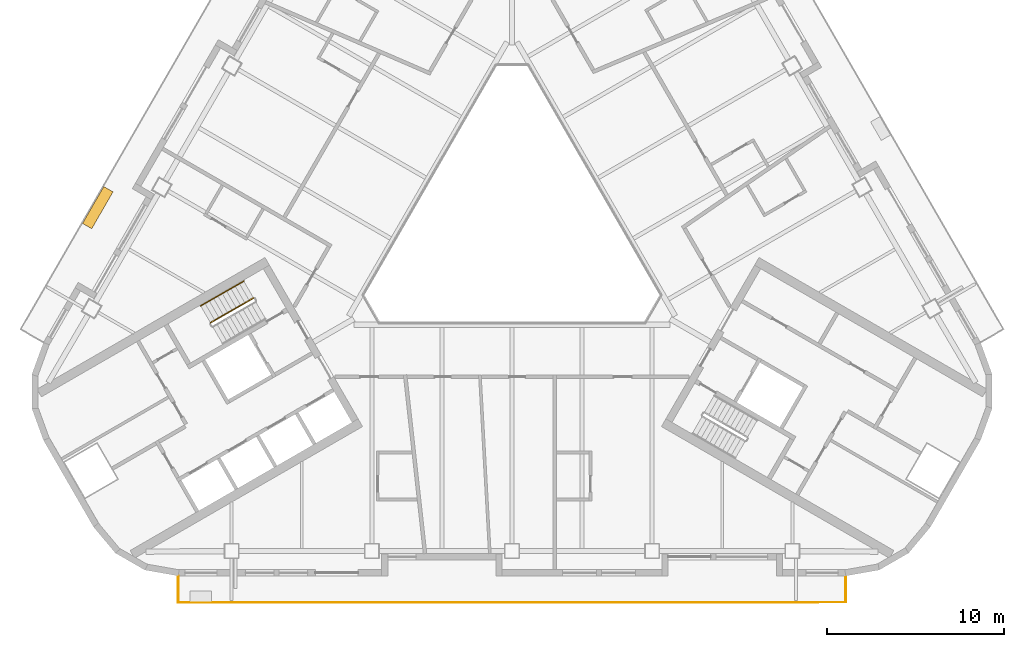
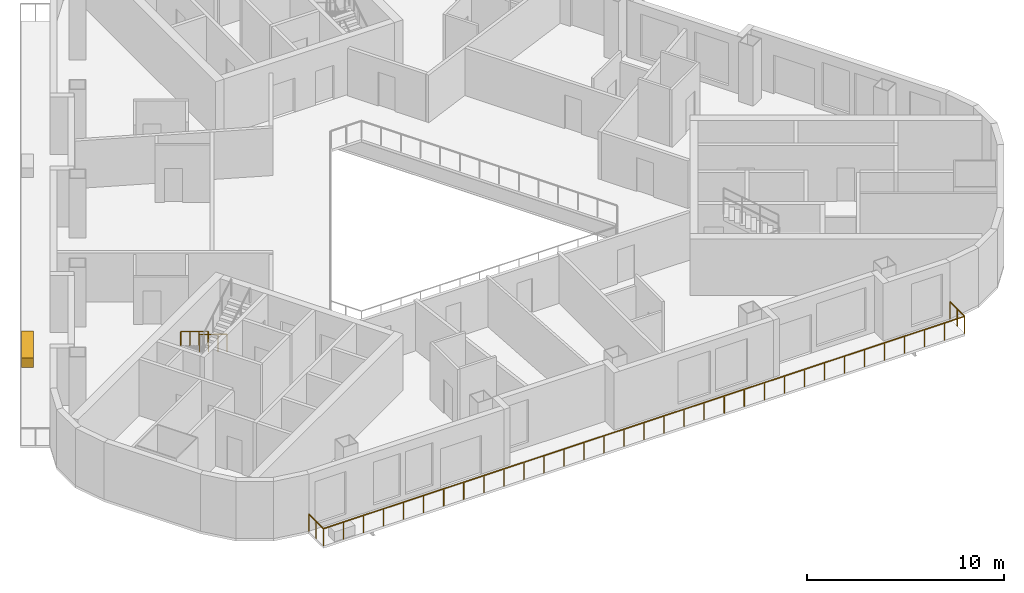
# One storey, part 9 of 13: 3 railings, 1 covering.
"""IFC4 building model written with IfcOpenShell, lengths in metres."""

from ifc_helpers import new_model, si_unit, direction, frame, origin, origin_2d, place, context, subcontext, project, spatial, rectangle, circle, extrude, material, type_object, element, save


model = new_model("IFC4")

# Units and contexts
model_context = context("Model", 3, precision=1e-05, world=origin(), true_north=direction((0.0, 1.0)))
body_context = subcontext(model_context, "Body", "Model", "MODEL_VIEW")
ifc_project = project(units=[si_unit("LENGTHUNIT", "METRE"), si_unit("AREAUNIT", "SQUARE_METRE"), si_unit("VOLUMEUNIT", "CUBIC_METRE"), si_unit("PLANEANGLEUNIT", "RADIAN"), si_unit("MASSUNIT", "GRAM", prefix="KILO")], contexts=[model_context])

# Site, building, storey
site_placement = place(None, origin())
site = spatial("IfcSite", under=ifc_project, at=site_placement, CompositionType="ELEMENT")
building_placement = place(site_placement, origin())
building = spatial("IfcBuilding", under=site, at=building_placement, Name="Apuvela Tower Hotel", CompositionType="ELEMENT")
storey_placement = place(building_placement, frame((0.0, 0.0, 165.10009765625)))
storey = spatial("IfcBuildingStorey", under=building, at=storey_placement, Name="L39", CompositionType="ELEMENT", Elevation=165.10009765625)

# Railings
ifc_material_1 = material(Name="Steel S275 balustrade", Category="steel")
railing_type_1 = type_object("IfcRailingType", Name="COR-GUARD-1100", PredefinedType="GUARDRAIL", material=ifc_material_1)
railing_1_placement = place(storey_placement, frame((-14.569091796875, -3.9658203125, 0.16796875)))
element("IfcRailing", 1, at=railing_1_placement, inside=storey, type_object=railing_type_1, Name="L39 ST2 stair guard 1", PredefinedType="GUARDRAIL", context=body_context, shape_type="SweptSolid", body=[
    extrude(rectangle(XDim=0.048095703125, YDim=0.048095703125, at=origin_2d()), frame((0.0, 0.0, 1.076171875), z_axis=(-0.742390482028, -0.42860119049, 0.514934356695), x_axis=(0.49998411664, -0.866034573852, 0.0)), (0.0, 0.0, 1.0), 3.26611328125),
    extrude(rectangle(XDim=0.0419921875, YDim=0.0419921875, at=origin_2d()), origin(), (0.0, 0.0, 1.0), 1.052001953125),
    extrude(rectangle(XDim=0.0419921875, YDim=0.0419921875, at=origin_2d()), frame((-0.808349609375, -0.466552734375, 0.560546875)), (0.0, 0.0, 1.0), 1.052001953125),
    extrude(rectangle(XDim=0.0419921875, YDim=0.0419921875, at=origin_2d()), frame((-1.616455078125, -0.933349609375, 1.121337890625)), (0.0, 0.0, 1.0), 1.052001953125),
    extrude(rectangle(XDim=0.0419921875, YDim=0.0419921875, at=origin_2d()), frame((-2.4248046875, -1.39990234375, 1.681884765625)), (0.0, 0.0, 1.0), 1.052001953125),
])
ifc_material_2 = material(Name="Stainless steel 316 handrail", Category="steel")
railing_type_2 = type_object("IfcRailingType", Name="COR-HANDRAIL-900", PredefinedType="HANDRAIL", material=ifc_material_2)
railing_2_placement = place(storey_placement, frame((-15.118896484375, -3.01318359375, 0.16796875)))
element("IfcRailing", 2, at=railing_2_placement, inside=storey, type_object=railing_type_2, Name="L39 ST2 stair handrail 1", PredefinedType="HANDRAIL", context=body_context, shape_type="SweptSolid", body=[
    extrude(circle(Radius=0.02392578125, at=origin_2d()), frame((0.0, 0.0, 0.8759765625), z_axis=(-0.742424030051, -0.428577407461, 0.514905783049), x_axis=(0.49994636267, -0.866056369097, 0.0)), (0.0, 0.0, 1.0), 3.266357421875),
    extrude(rectangle(XDim=0.0419921875, YDim=0.0419921875, at=origin_2d()), origin(), (0.0, 0.0, 1.0), 0.851806640625),
    extrude(rectangle(XDim=0.0419921875, YDim=0.0419921875, at=origin_2d()), frame((-0.808349609375, -0.466552734375, 0.560546875)), (0.0, 0.0, 1.0), 0.851806640625),
    extrude(rectangle(XDim=0.0419921875, YDim=0.0419921875, at=origin_2d()), frame((-1.61669921875, -0.933349609375, 1.121337890625)), (0.0, 0.0, 1.0), 0.851806640625),
    extrude(rectangle(XDim=0.0419921875, YDim=0.0419921875, at=origin_2d()), frame((-2.425048828125, -1.39990234375, 1.681884765625)), (0.0, 0.0, 1.0), 0.851806640625),
])
ifc_material_3 = material(Name="Stainless steel 316 rail with laminated glass infill", Category="steel")
railing_type_3 = type_object("IfcRailingType", Name="ENV-GUARD-1100", PredefinedType="GUARDRAIL", material=ifc_material_3)
railing_3_placement = place(storey_placement, frame((-18.81591796875, -19.6298828125, 0.0)))
element("IfcRailing", 3, at=railing_3_placement, inside=storey, type_object=railing_type_3, Name="Balcony guard S L39", PredefinedType="GUARDRAIL", context=body_context, shape_type="SweptSolid", body=[
    extrude(rectangle(XDim=0.050048828125, YDim=0.050048828125, at=origin_2d()), frame((0.0, 0.0, 1.0751953125), z_axis=(0.0, -1.0, 0.0), x_axis=(1.0, 0.0, 0.0)), (0.0, 0.0, 1.0), 1.5),
    extrude(rectangle(XDim=0.050048828125, YDim=0.050048828125, at=origin_2d()), frame((0.0, -1.5, 1.0751953125), z_axis=(1.0, 0.0, 0.0), x_axis=(0.0, 1.0, 0.0)), (0.0, 0.0, 1.0), 37.6318359375),
    extrude(rectangle(XDim=0.050048828125, YDim=0.050048828125, at=origin_2d()), frame((37.6318359375, -1.5, 1.0751953125), z_axis=(0.0, 1.0, 0.0), x_axis=(-1.0, 0.0, 0.0)), (0.0, 0.0, 1.0), 1.5),
    extrude(rectangle(XDim=0.0400390625, YDim=0.0400390625, at=origin_2d()), origin(), (0.0, 0.0, 1.0), 1.050048828125),
    extrude(rectangle(XDim=0.0400390625, YDim=0.0400390625, at=origin_2d()), frame((0.0, -0.75, 0.0)), (0.0, 0.0, 1.0), 1.050048828125),
    extrude(rectangle(XDim=0.0400390625, YDim=0.0400390625, at=origin_2d()), frame((0.0, -1.5, 0.0)), (0.0, 0.0, 1.0), 1.050048828125),
    extrude(rectangle(XDim=0.0400390625, YDim=0.0400390625, at=origin_2d()), frame((1.176025390625, -1.5, 0.0)), (0.0, 0.0, 1.0), 1.050048828125),
    extrude(rectangle(XDim=0.0400390625, YDim=0.0400390625, at=origin_2d()), frame((2.35205078125, -1.5, 0.0)), (0.0, 0.0, 1.0), 1.050048828125),
    extrude(rectangle(XDim=0.0400390625, YDim=0.0400390625, at=origin_2d()), frame((3.528076171875, -1.5, 0.0)), (0.0, 0.0, 1.0), 1.050048828125),
    extrude(rectangle(XDim=0.0400390625, YDim=0.0400390625, at=origin_2d()), frame((4.7041015625, -1.5, 0.0)), (0.0, 0.0, 1.0), 1.050048828125),
    extrude(rectangle(XDim=0.0400390625, YDim=0.0400390625, at=origin_2d()), frame((5.8798828125, -1.5, 0.0)), (0.0, 0.0, 1.0), 1.050048828125),
    extrude(rectangle(XDim=0.0400390625, YDim=0.0400390625, at=origin_2d()), frame((7.055908203125, -1.5, 0.0)), (0.0, 0.0, 1.0), 1.050048828125),
    extrude(rectangle(XDim=0.0400390625, YDim=0.0400390625, at=origin_2d()), frame((8.23193359375, -1.5, 0.0)), (0.0, 0.0, 1.0), 1.050048828125),
    extrude(rectangle(XDim=0.0400390625, YDim=0.0400390625, at=origin_2d()), frame((9.407958984375, -1.5, 0.0)), (0.0, 0.0, 1.0), 1.050048828125),
    extrude(rectangle(XDim=0.0400390625, YDim=0.0400390625, at=origin_2d()), frame((10.583984375, -1.5, 0.0)), (0.0, 0.0, 1.0), 1.050048828125),
    extrude(rectangle(XDim=0.0400390625, YDim=0.0400390625, at=origin_2d()), frame((11.760009765625, -1.5, 0.0)), (0.0, 0.0, 1.0), 1.050048828125),
    extrude(rectangle(XDim=0.0400390625, YDim=0.0400390625, at=origin_2d()), frame((12.93603515625, -1.5, 0.0)), (0.0, 0.0, 1.0), 1.050048828125),
    extrude(rectangle(XDim=0.0400390625, YDim=0.0400390625, at=origin_2d()), frame((14.11181640625, -1.5, 0.0)), (0.0, 0.0, 1.0), 1.050048828125),
    extrude(rectangle(XDim=0.0400390625, YDim=0.0400390625, at=origin_2d()), frame((15.287841796875, -1.5, 0.0)), (0.0, 0.0, 1.0), 1.050048828125),
    extrude(rectangle(XDim=0.0400390625, YDim=0.0400390625, at=origin_2d()), frame((16.4638671875, -1.5, 0.0)), (0.0, 0.0, 1.0), 1.050048828125),
    extrude(rectangle(XDim=0.0400390625, YDim=0.0400390625, at=origin_2d()), frame((17.639892578125, -1.5, 0.0)), (0.0, 0.0, 1.0), 1.050048828125),
    extrude(rectangle(XDim=0.0400390625, YDim=0.0400390625, at=origin_2d()), frame((18.81591796875, -1.5, 0.0)), (0.0, 0.0, 1.0), 1.050048828125),
    extrude(rectangle(XDim=0.0400390625, YDim=0.0400390625, at=origin_2d()), frame((19.991943359375, -1.5, 0.0)), (0.0, 0.0, 1.0), 1.050048828125),
    extrude(rectangle(XDim=0.0400390625, YDim=0.0400390625, at=origin_2d()), frame((21.16796875, -1.5, 0.0)), (0.0, 0.0, 1.0), 1.050048828125),
    extrude(rectangle(XDim=0.0400390625, YDim=0.0400390625, at=origin_2d()), frame((22.343994140625, -1.5, 0.0)), (0.0, 0.0, 1.0), 1.050048828125),
    extrude(rectangle(XDim=0.0400390625, YDim=0.0400390625, at=origin_2d()), frame((23.52001953125, -1.5, 0.0)), (0.0, 0.0, 1.0), 1.050048828125),
    extrude(rectangle(XDim=0.0400390625, YDim=0.0400390625, at=origin_2d()), frame((24.69580078125, -1.5, 0.0)), (0.0, 0.0, 1.0), 1.050048828125),
    extrude(rectangle(XDim=0.0400390625, YDim=0.0400390625, at=origin_2d()), frame((25.871826171875, -1.5, 0.0)), (0.0, 0.0, 1.0), 1.050048828125),
    extrude(rectangle(XDim=0.0400390625, YDim=0.0400390625, at=origin_2d()), frame((27.0478515625, -1.5, 0.0)), (0.0, 0.0, 1.0), 1.050048828125),
    extrude(rectangle(XDim=0.0400390625, YDim=0.0400390625, at=origin_2d()), frame((28.223876953125, -1.5, 0.0)), (0.0, 0.0, 1.0), 1.050048828125),
    extrude(rectangle(XDim=0.0400390625, YDim=0.0400390625, at=origin_2d()), frame((29.39990234375, -1.5, 0.0)), (0.0, 0.0, 1.0), 1.050048828125),
    extrude(rectangle(XDim=0.0400390625, YDim=0.0400390625, at=origin_2d()), frame((30.575927734375, -1.5, 0.0)), (0.0, 0.0, 1.0), 1.050048828125),
    extrude(rectangle(XDim=0.0400390625, YDim=0.0400390625, at=origin_2d()), frame((31.751953125, -1.5, 0.0)), (0.0, 0.0, 1.0), 1.050048828125),
    extrude(rectangle(XDim=0.0400390625, YDim=0.0400390625, at=origin_2d()), frame((32.927734375, -1.5, 0.0)), (0.0, 0.0, 1.0), 1.050048828125),
    extrude(rectangle(XDim=0.0400390625, YDim=0.0400390625, at=origin_2d()), frame((34.103759765625, -1.5, 0.0)), (0.0, 0.0, 1.0), 1.050048828125),
    extrude(rectangle(XDim=0.0400390625, YDim=0.0400390625, at=origin_2d()), frame((35.27978515625, -1.5, 0.0)), (0.0, 0.0, 1.0), 1.050048828125),
    extrude(rectangle(XDim=0.0400390625, YDim=0.0400390625, at=origin_2d()), frame((36.455810546875, -1.5, 0.0)), (0.0, 0.0, 1.0), 1.050048828125),
    extrude(rectangle(XDim=0.0400390625, YDim=0.0400390625, at=origin_2d()), frame((37.6318359375, -1.5, 0.0)), (0.0, 0.0, 1.0), 1.050048828125),
    extrude(rectangle(XDim=0.0400390625, YDim=0.0400390625, at=origin_2d()), frame((37.6318359375, -0.75, 0.0)), (0.0, 0.0, 1.0), 1.050048828125),
    extrude(rectangle(XDim=0.0400390625, YDim=0.0400390625, at=origin_2d()), frame((37.6318359375, 0.0, 0.0)), (0.0, 0.0, 1.0), 1.050048828125),
])

# Covering
ifc_material_4 = material(Name="Planting substrate and soil, planted")
covering_type = type_object("IfcCoveringType", Name="ENV-PLANTER-2400x600", PredefinedType="USERDEFINED", material=ifc_material_4)
covering_placement = place(storey_placement, frame((-23.345947265625, 1.12353515625, -0.000244140625), z_axis=(0.0, 0.0, 1.0), x_axis=(-0.5, -0.866025403784, 0.0)))
element("IfcCovering", 4, at=covering_placement, inside=storey, type_object=covering_type, Name="Planter NW5", ObjectType="PLANTER", PredefinedType="USERDEFINED", context=body_context, shape_type="SweptSolid", body=[
    extrude(rectangle(XDim=2.39990234375, YDim=0.60009765625, at=origin_2d()), origin(), (0.0, 0.0, 1.0), 0.60009765625),
])

save(model, "model.ifc")
